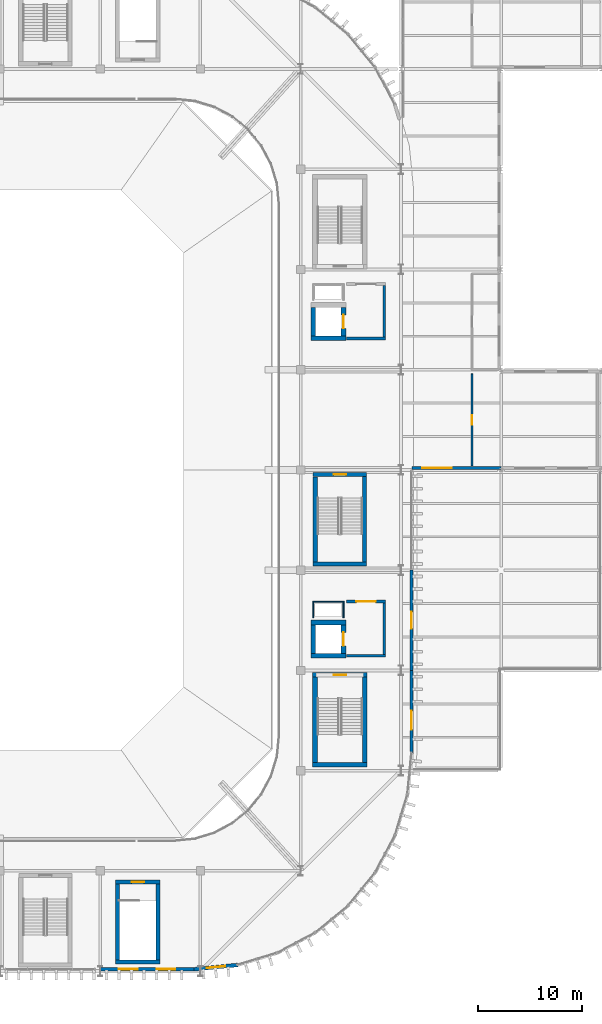
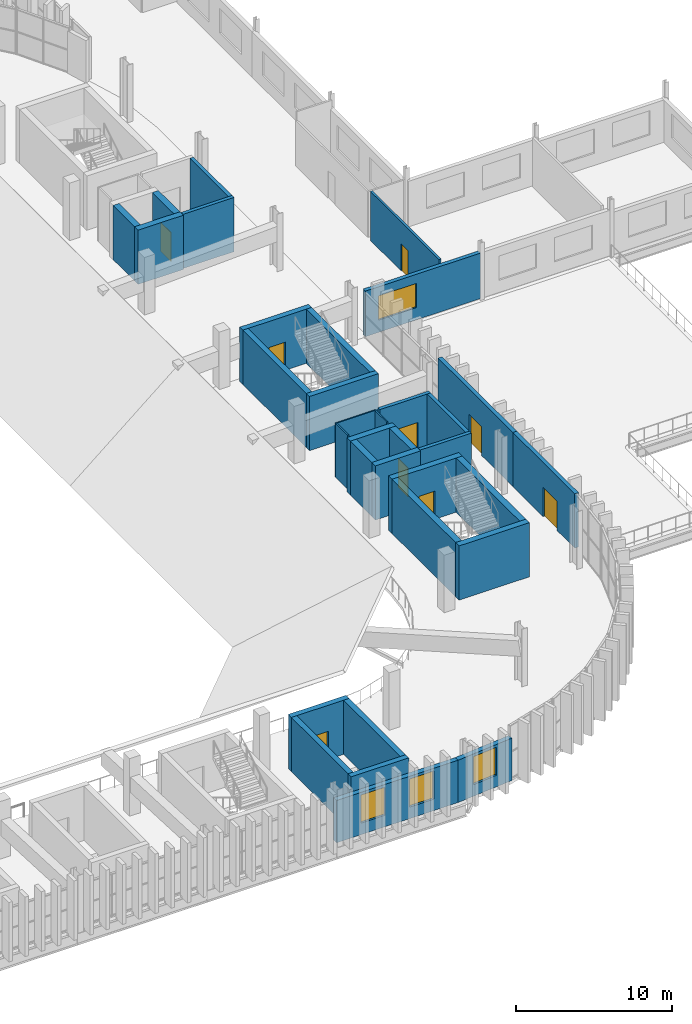
# One storey, part 42 of 69: 33 walls, 9 doors, 4 windows, 13 openings.
"""IFC4 building model written with IfcOpenShell, lengths in metres."""

import ifcopenshell
import ifcopenshell.guid

model = None  # the IFC model being written
_history = None  # IfcOwnerHistory: only IFC2X3 demands one
_inside = {}  # id of a spatial element -> (the spatial element, [elements in it])
_under = {}  # id of a project, library or spatial element -> (it, [spatial elements below it])
_declared = {}  # id of a project -> (the project, [libraries it declares])
_typed = {}  # id of a type object -> (the type object, [elements of that type])
_made_of = {}  # id of a material, layer set ... -> (it, [elements and type objects made of it])


def new_model(schema):
    """Start an empty IFC model of exactly this schema.

    Asked for "IFC4X3", IfcOpenShell would pick the latest addendum, in which some entities
    have other attributes; the version numbers below select the first issue.
    IFC2X3 requires an IfcOwnerHistory on every rooted entity: one is made here for all.
    """
    global model, _history
    if schema == "IFC4X3":
        model = ifcopenshell.file(schema_version=(4, 3, 0, 0))
    else:
        model = ifcopenshell.file(schema=schema)
    _inside.clear()
    _under.clear()
    _declared.clear()
    _typed.clear()
    _made_of.clear()
    _history = None
    if model.schema == "IFC2X3":
        org = make("IfcOrganization", Name="unknown")
        user = make(
            "IfcPersonAndOrganization",
            ThePerson=make("IfcPerson", FamilyName="unknown"),
            TheOrganization=org,
        )
        app = make(
            "IfcApplication",
            ApplicationDeveloper=org,
            Version="unknown",
            ApplicationFullName="unknown",
            ApplicationIdentifier="unknown",
        )
        _history = make(
            "IfcOwnerHistory",
            OwningUser=user,
            OwningApplication=app,
            ChangeAction="ADDED",
            CreationDate=0,
        )
    return model


def make(cls, **values):
    """One entity of the class cls with the attributes given. An attribute that is None is left unset."""
    return model.create_entity(
        cls, **{name: value for name, value in values.items() if value is not None}
    )


def rooted(cls, **values):
    """An entity with a GlobalId (a new one), such as an element, a storey or a relation."""
    return make(cls, GlobalId=ifcopenshell.guid.new(), OwnerHistory=_history, **values)


def si_unit(unit_type, name, prefix=None):
    """IfcSIUnit, for example si_unit("LENGTHUNIT", "METRE", prefix="MILLI")."""
    return make("IfcSIUnit", UnitType=unit_type, Prefix=prefix, Name=name)


def assignment(units):
    """IfcUnitAssignment: the units of a project."""
    return None if units is None else make("IfcUnitAssignment", Units=units)


def point(xyz):
    """IfcCartesianPoint."""
    return None if xyz is None else make("IfcCartesianPoint", Coordinates=xyz)


def direction(xyz):
    """IfcDirection."""
    return None if xyz is None else make("IfcDirection", DirectionRatios=xyz)


def frame(location, z_axis=None, x_axis=None):
    """IfcAxis2Placement3D, a coordinate frame: its origin and axes. An axis left out is left unset."""
    return make(
        "IfcAxis2Placement3D",
        Location=point(location),
        Axis=direction(z_axis),
        RefDirection=direction(x_axis),
    )


def frame_2d(location, x_axis=None):
    """IfcAxis2Placement2D, a coordinate frame in the plane: its origin and x axis."""
    return make(
        "IfcAxis2Placement2D", Location=point(location), RefDirection=direction(x_axis)
    )


def origin():
    """The frame at (0, 0, 0) with its axes left unset."""
    return frame((0.0, 0.0, 0.0))


def place(relative_to, where):
    """IfcLocalPlacement: puts the frame where relative to a parent placement (None: the world)."""
    return make(
        "IfcLocalPlacement", PlacementRelTo=relative_to, RelativePlacement=where
    )


def context(
    kind, dimensions, precision=None, world=None, true_north=None, identifier=None
):
    """IfcGeometricRepresentationContext, for example the 3D "Model" context."""
    return make(
        "IfcGeometricRepresentationContext",
        ContextIdentifier=identifier,
        ContextType=kind,
        CoordinateSpaceDimension=dimensions,
        Precision=precision,
        WorldCoordinateSystem=world,
        TrueNorth=true_north,
    )


def subcontext(parent, identifier, kind, view, scale=None):
    """IfcGeometricRepresentationSubContext, for example "Body" below "Model"."""
    return make(
        "IfcGeometricRepresentationSubContext",
        ContextIdentifier=identifier,
        ContextType=kind,
        ParentContext=parent,
        TargetScale=scale,
        TargetView=view,
    )


def project(units=None, contexts=None):
    """IfcProject with its units and contexts."""
    return rooted(
        "IfcProject",
        Name="project",
        RepresentationContexts=contexts,
        UnitsInContext=assignment(units),
    )


def spatial(cls, under=None, at=None, **own):
    """A site, building, storey or space (cls), placed at a placement, below another one or the project."""
    s = rooted(cls, ObjectPlacement=at, **own)
    if under is not None:
        _under.setdefault(under.id(), (under, []))[1].append(s)
    return s


def profile(cls, at=None, kind="AREA", **sizes):
    """A parametric profile (cls). Its sizes go by their IFC names, for example OverallWidth=200.0."""
    return make(cls, ProfileType=kind, Position=at, **sizes)


def rectangle(**sizes):
    """IfcRectangleProfileDef."""
    return profile("IfcRectangleProfileDef", **sizes)


def extrude(swept, where, along, depth):
    """IfcExtrudedAreaSolid: the profile swept, set in the frame where, extruded along a direction by depth."""
    return make(
        "IfcExtrudedAreaSolid",
        SweptArea=swept,
        Position=where,
        ExtrudedDirection=direction(along),
        Depth=depth,
    )


def shape(context_of_items, identifier, shape_type, items):
    """IfcShapeRepresentation: the items that make up one representation, for example the "Body"."""
    return make(
        "IfcShapeRepresentation",
        ContextOfItems=context_of_items,
        RepresentationIdentifier=identifier,
        RepresentationType=shape_type,
        Items=items,
    )


def material(Name=None, Category=None):
    """IfcMaterial."""
    return make("IfcMaterial", Name=Name, Category=Category)


def layer(
    of_material, thickness, ventilated=None, Name=None, Category=None, Priority=None
):
    """IfcMaterialLayer: one layer of a wall or slab, of a material (None: an air gap)."""
    return make(
        "IfcMaterialLayer",
        Material=of_material,
        LayerThickness=thickness,
        IsVentilated=ventilated,
        Name=Name,
        Category=Category,
        Priority=Priority,
    )


def layer_set(layers, Name=None):
    """IfcMaterialLayerSet."""
    return make("IfcMaterialLayerSet", MaterialLayers=layers, LayerSetName=Name)


def made_of(thing, what):
    """Note that an element or type object is made of a material, layer set ...; save() writes the relation."""
    if what is not None:
        _made_of.setdefault(what.id(), (what, []))[1].append(thing)
    return thing


def type_object(cls, material=None, **own):
    """A type object (cls), such as IfcWallType, which elements share."""
    return made_of(rooted(cls, **own), material)


def element(
    cls,
    number,
    at=None,
    inside=None,
    cuts=None,
    type_object=None,
    material=None,
    context=None,
    identifier="Body",
    shape_type=None,
    held_by="IfcProductDefinitionShape",
    body=None,
    shapes=None,
    **own,
):
    """One element of the class cls, such as IfcWall. Its Tag is "e" and its number.

    at: its placement. inside: the storey or other place that contains it. cuts: it is an
    opening in that element (IfcRelVoidsElement). A single representation is given by context,
    identifier, shape_type and body (its items); several are given by shapes. held_by: the class
    of the entity that holds the representations. save() writes the other relations.
    """
    e = rooted(cls, Tag="e%d" % number, ObjectPlacement=at, **own)
    if body is not None:
        shapes = [shape(context, identifier, shape_type, body)]
    if shapes is not None:
        e.Representation = make(held_by, Representations=shapes)
    if inside is not None:
        _inside.setdefault(inside.id(), (inside, []))[1].append(e)
    if cuts is not None:
        rooted(
            "IfcRelVoidsElement", RelatingBuildingElement=cuts, RelatedOpeningElement=e
        )
    if type_object is not None:
        _typed.setdefault(type_object.id(), (type_object, []))[1].append(e)
    return made_of(e, material)


def fill(opening, filler):
    """IfcRelFillsElement: the door or window that sits in an opening."""
    return rooted(
        "IfcRelFillsElement",
        RelatingOpeningElement=opening,
        RelatedBuildingElement=filler,
    )


def aggregate(whole, parts):
    """IfcRelAggregates: a whole, such as a stair, and the parts it consists of."""
    return rooted("IfcRelAggregates", RelatingObject=whole, RelatedObjects=parts)


def save(model, path):
    """Write the relations noted so far, then the file.

    IfcRelAggregates (storeys below a building ...), IfcRelContainedInSpatialStructure (elements
    in a storey), IfcRelDefinesByType, IfcRelAssociatesMaterial and IfcRelDeclares: one each for
    every whole, place, type object, material and project.
    """
    for whole, parts in _under.values():
        aggregate(whole, parts)
    for where, things in _inside.values():
        rooted(
            "IfcRelContainedInSpatialStructure",
            RelatedElements=things,
            RelatingStructure=where,
        )
    for kind, things in _typed.values():
        rooted("IfcRelDefinesByType", RelatedObjects=things, RelatingType=kind)
    for what, things in _made_of.values():
        rooted("IfcRelAssociatesMaterial", RelatedObjects=things, RelatingMaterial=what)
    for by, libraries in _declared.values():
        rooted("IfcRelDeclares", RelatingContext=by, RelatedDefinitions=libraries)
    model.write(path)


model = new_model("IFC4")

# Units and contexts
model_context = context("Model", 3, precision=1e-05, world=origin(), true_north=direction((0.0, 1.0)))
body_context = subcontext(model_context, "Body", "Model", "MODEL_VIEW")
ifc_project = project(units=[si_unit("LENGTHUNIT", "METRE"), si_unit("AREAUNIT", "SQUARE_METRE"), si_unit("VOLUMEUNIT", "CUBIC_METRE"), si_unit("PLANEANGLEUNIT", "RADIAN"), si_unit("MASSUNIT", "GRAM", prefix="KILO")], contexts=[model_context])

# Site, building, storey
site_placement = place(None, origin())
site = spatial("IfcSite", under=ifc_project, at=site_placement, CompositionType="ELEMENT")
building_placement = place(site_placement, origin())
building = spatial("IfcBuilding", under=site, at=building_placement, Name="Caelomonte Colonnade Arena", CompositionType="ELEMENT")
storey_placement = place(building_placement, frame((0.0, 0.0, 18.60009765625)))
storey = spatial("IfcBuildingStorey", under=building, at=storey_placement, Name="L04", CompositionType="ELEMENT", Elevation=18.60009765625)

# Wall, opening, door
ifc_material_1 = material(Name="Precast concrete C40/50", Category="concrete")
ifc_layer_1 = layer(ifc_material_1, 0.2900390625)
ifc_layer_set_1 = layer_set([ifc_layer_1], Name="Precast concrete C40/50")
wall_type_1 = type_object("IfcWallType", Name="ENV-WL-EXT29", PredefinedType="SOLIDWALL", material=ifc_layer_set_1)
wall_1_placement = place(storey_placement, frame((164.219970703125, 40.080078125, 0.0), z_axis=(0.0, 0.0, 1.0), x_axis=(0.0, 1.0, 0.0)))
wall_1 = element("IfcWall", 1, at=wall_1_placement, inside=storey, type_object=wall_type_1, Name="L04 exterior wall EW-L04-0304", PredefinedType="SOLIDWALL", context=body_context, shape_type="SweptSolid", body=[
    extrude(rectangle(XDim=7.919921875, YDim=0.2900390625, at=frame_2d((3.9599609375, 0.0))), origin(), (0.0, 0.0, 1.0), 4.239990234375),
])
opening_1_placement = place(wall_1_placement, frame((4.0517578125, 0.0, 0.0), z_axis=(0.0, 0.0, 1.0), x_axis=(-1.0, 0.0, 0.0)))
opening_1 = element("IfcOpeningElement", 2, at=opening_1_placement, cuts=wall_1, Name="Opening DT-L04-09", PredefinedType="OPENING", context=body_context, shape_type="SweptSolid", body=[
    extrude(rectangle(XDim=1.800048828125, YDim=2.300048828125, at=frame_2d((0.89990234375, 1.14990234375))), frame((0.0, 0.155029296875, 0.0), z_axis=(0.0, -1.0, 0.0), x_axis=(1.0, 0.0, 0.0)), (0.0, 0.0, 1.0), 0.31005859375),
])
ifc_material_2 = material(Name="Bronze anodised aluminium glazed terrace door", Category="aluminium")
door_type_1 = type_object("IfcDoorType", Name="ENV-DR-TR1", OperationType="DOUBLE_DOOR_SINGLE_SWING", PredefinedType="DOOR", material=ifc_material_2)
door_1_placement = place(opening_1_placement, origin())
door_1 = element("IfcDoor", 3, at=door_1_placement, inside=storey, type_object=door_type_1, Name="L04 East Gallery Courtyard Terrace door DT-L04-09", OperationType="DOUBLE_DOOR_SINGLE_SWING", OverallHeight=2.300048828125, OverallWidth=1.800048828125, PredefinedType="DOOR", context=body_context, shape_type="SweptSolid", body=[
    extrude(rectangle(XDim=1.800048828125, YDim=2.300048828125, at=frame_2d((0.89990234375, 1.14990234375))), frame((0.0, 0.02490234375, 0.0), z_axis=(0.0, -1.0, 0.0), x_axis=(1.0, 0.0, 0.0)), (0.0, 0.0, 1.0), 0.050048828125),
])
fill(opening_1, door_1)

wall_2_placement = place(storey_placement, frame((164.219970703125, 48.0, 0.0), z_axis=(0.0, 0.0, 1.0), x_axis=(0.0, 1.0, 0.0)))
wall_2 = element("IfcWall", 4, at=wall_2_placement, inside=storey, type_object=wall_type_1, Name="L04 exterior wall EW-L04-0305", PredefinedType="SOLIDWALL", context=body_context, shape_type="SweptSolid", body=[
    extrude(rectangle(XDim=9.60009765625, YDim=0.2900390625, at=frame_2d((4.800048828125, 0.0))), origin(), (0.0, 0.0, 1.0), 4.239990234375),
])
opening_2_placement = place(wall_2_placement, frame((5.60009765625, 0.0, 0.0), z_axis=(0.0, 0.0, 1.0), x_axis=(-1.0, 0.0, 0.0)))
opening_2 = element("IfcOpeningElement", 5, at=opening_2_placement, cuts=wall_2, Name="Opening DT-L04-10", PredefinedType="OPENING", context=body_context, shape_type="SweptSolid", body=[
    extrude(rectangle(XDim=1.60009765625, YDim=2.25, at=frame_2d((0.800048828125, 1.125))), frame((0.0, 0.155029296875, 0.0), z_axis=(0.0, -1.0, 0.0), x_axis=(1.0, 0.0, 0.0)), (0.0, 0.0, 1.0), 0.31005859375),
])
door_type_2 = type_object("IfcDoorType", Name="ENV-DR-TR2", OperationType="DOUBLE_DOOR_SINGLE_SWING", PredefinedType="DOOR", material=ifc_material_2)
door_2_placement = place(opening_2_placement, origin())
door_2 = element("IfcDoor", 6, at=door_2_placement, inside=storey, type_object=door_type_2, Name="L04 East Gallery Courtyard Terrace door DT-L04-10", OperationType="DOUBLE_DOOR_SINGLE_SWING", OverallHeight=2.25, OverallWidth=1.60009765625, PredefinedType="DOOR", context=body_context, shape_type="SweptSolid", body=[
    extrude(rectangle(XDim=1.60009765625, YDim=2.25, at=frame_2d((0.800048828125, 1.125))), frame((0.0, 0.02490234375, 0.0), z_axis=(0.0, -1.0, 0.0), x_axis=(1.0, 0.0, 0.0)), (0.0, 0.0, 1.0), 0.050048828125),
])
fill(opening_2, door_2)

# Wall, opening, window
wall_3_placement = place(storey_placement, frame((164.280029296875, 67.3798828125, 0.0), z_axis=(0.0, 0.0, 1.0), x_axis=(1.0, 0.0, 0.0)))
wall_3 = element("IfcWall", 7, at=wall_3_placement, inside=storey, type_object=wall_type_1, Name="L04 exterior wall EW-L04-0306", PredefinedType="SOLIDWALL", context=body_context, shape_type="SweptSolid", body=[
    extrude(rectangle(XDim=8.52001953125, YDim=0.2900390625, at=frame_2d((4.260009765625, 0.0))), origin(), (0.0, 0.0, 1.0), 3.561767578125),
])
opening_3_placement = place(wall_3_placement, frame((3.7734375, 0.0, 0.949951171875), z_axis=(0.0, 0.0, 1.0), x_axis=(-1.0, 0.0, 0.0)))
opening_3 = element("IfcOpeningElement", 8, at=opening_3_placement, cuts=wall_3, Name="Opening WN-07", PredefinedType="OPENING", context=body_context, shape_type="SweptSolid", body=[
    extrude(rectangle(XDim=2.800048828125, YDim=1.89990234375, at=frame_2d((1.39990234375, 0.949951171875))), frame((0.0, 0.155029296875, 0.0), z_axis=(0.0, -1.0, 0.0), x_axis=(1.0, 0.0, 0.0)), (0.0, 0.0, 1.0), 0.31005859375),
])
ifc_material_3 = material(Name="Solar-control bronze low-E double glazing", Category="glass")
window_type_1 = type_object("IfcWindowType", Name="ENV-WN-V4D", PartitioningType="DOUBLE_PANEL_VERTICAL", PredefinedType="WINDOW", material=ifc_material_3)
window_1_placement = place(opening_3_placement, origin())
window_1 = element("IfcWindow", 9, at=window_1_placement, inside=storey, type_object=window_type_1, Name="L04 facade window 247", OverallHeight=1.89990234375, OverallWidth=2.800048828125, PartitioningType="SINGLE_PANEL", PredefinedType="WINDOW", context=body_context, shape_type="SweptSolid", body=[
    extrude(rectangle(XDim=2.800048828125, YDim=1.89990234375, at=frame_2d((1.39990234375, 0.949951171875))), frame((0.0, 0.030029296875, 0.0), z_axis=(0.0, -1.0, 0.0), x_axis=(1.0, 0.0, 0.0)), (0.0, 0.0, 1.0), 0.06005859375),
])
fill(opening_3, window_1)

# Wall, openings, windows
ifc_layer_2 = layer(ifc_material_1, 0.360107421875)
ifc_layer_set_2 = layer_set([ifc_layer_2], Name="Precast concrete C40/50")
wall_type_2 = type_object("IfcWallType", Name="ENV-WL-EXT36", PredefinedType="SOLIDWALL", material=ifc_layer_set_2)
wall_4_placement = place(storey_placement, frame((134.39990234375, 19.3798828125, 0.0), z_axis=(0.0, 0.0, 1.0), x_axis=(1.0, 0.0, 0.0)))
wall_4 = element("IfcWall", 10, at=wall_4_placement, inside=storey, type_object=wall_type_2, Name="L04 exterior wall EW-L04-0302", PredefinedType="SOLIDWALL", context=body_context, shape_type="SweptSolid", body=[
    extrude(rectangle(XDim=9.0, YDim=0.360107421875, at=frame_2d((4.5, 0.0))), origin(), (0.0, 0.0, 1.0), 3.312744140625),
])
opening_4_placement = place(wall_4_placement, frame((3.60009765625, 0.0, 0.89990234375), z_axis=(0.0, 0.0, 1.0), x_axis=(-1.0, 0.0, 0.0)))
opening_4 = element("IfcOpeningElement", 11, at=opening_4_placement, cuts=wall_4, Name="Opening WN-03", PredefinedType="OPENING", context=body_context, shape_type="SweptSolid", body=[
    extrude(rectangle(XDim=1.800048828125, YDim=2.199951171875, at=frame_2d((0.89990234375, 1.10009765625))), frame((0.0, 0.18994140625, 0.0), z_axis=(0.0, -1.0, 0.0), x_axis=(1.0, 0.0, 0.0)), (0.0, 0.0, 1.0), 0.380126953125),
])
opening_5_placement = place(wall_4_placement, frame((7.199951171875, 0.0, 0.89990234375), z_axis=(0.0, 0.0, 1.0), x_axis=(-1.0, 0.0, 0.0)))
opening_5 = element("IfcOpeningElement", 12, at=opening_5_placement, cuts=wall_4, Name="Opening WN-03", PredefinedType="OPENING", context=body_context, shape_type="SweptSolid", body=[
    extrude(rectangle(XDim=1.800048828125, YDim=2.199951171875, at=frame_2d((0.89990234375, 1.10009765625))), frame((0.0, 0.18994140625, 0.0), z_axis=(0.0, -1.0, 0.0), x_axis=(1.0, 0.0, 0.0)), (0.0, 0.0, 1.0), 0.380126953125),
])
window_type_2 = type_object("IfcWindowType", Name="ENV-WN-V3C", PartitioningType="DOUBLE_PANEL_VERTICAL", PredefinedType="WINDOW", material=ifc_material_3)
window_2_placement = place(opening_4_placement, origin())
window_2 = element("IfcWindow", 13, at=window_2_placement, inside=storey, type_object=window_type_2, Name="L04 facade window 244", OverallHeight=2.199951171875, OverallWidth=1.800048828125, PartitioningType="SINGLE_PANEL", PredefinedType="WINDOW", context=body_context, shape_type="SweptSolid", body=[
    extrude(rectangle(XDim=1.800048828125, YDim=2.199951171875, at=frame_2d((0.89990234375, 1.10009765625))), frame((0.0, 0.030029296875, 0.0), z_axis=(0.0, -1.0, 0.0), x_axis=(1.0, 0.0, 0.0)), (0.0, 0.0, 1.0), 0.06005859375),
])
fill(opening_4, window_2)
window_3_placement = place(opening_5_placement, origin())
window_3 = element("IfcWindow", 14, at=window_3_placement, inside=storey, type_object=window_type_2, Name="L04 facade window 245", OverallHeight=2.199951171875, OverallWidth=1.800048828125, PartitioningType="SINGLE_PANEL", PredefinedType="WINDOW", context=body_context, shape_type="SweptSolid", body=[
    extrude(rectangle(XDim=1.800048828125, YDim=2.199951171875, at=frame_2d((0.89990234375, 1.10009765625))), frame((0.0, 0.030029296875, 0.0), z_axis=(0.0, -1.0, 0.0), x_axis=(1.0, 0.0, 0.0)), (0.0, 0.0, 1.0), 0.06005859375),
])
fill(opening_5, window_3)

# Wall, opening, window
wall_5_placement = place(storey_placement, frame((143.38232421875, 19.379150390625, 0.0), z_axis=(0.0, 0.0, 1.0), x_axis=(0.995184426144, 0.098020191596, 0.0)))
wall_5 = element("IfcWall", 15, at=wall_5_placement, inside=storey, type_object=wall_type_2, Name="L04 exterior wall EW-L04-0303", PredefinedType="SOLIDWALL", context=body_context, shape_type="SweptSolid", body=[
    extrude(rectangle(XDim=4.23681640625, YDim=0.360107421875, at=frame_2d((2.118408203125, 0.0))), origin(), (0.0, 0.0, 1.0), 3.312744140625),
])
opening_6_placement = place(wall_5_placement, frame((3.0185546875, 0.0, 0.89990234375), z_axis=(0.0, 0.0, 1.0), x_axis=(-1.0, 0.0, 0.0)))
opening_6 = element("IfcOpeningElement", 16, at=opening_6_placement, cuts=wall_5, Name="Opening WN-03", PredefinedType="OPENING", context=body_context, shape_type="SweptSolid", body=[
    extrude(rectangle(XDim=1.800048828125, YDim=2.199951171875, at=frame_2d((0.89990234375, 1.10009765625))), frame((0.0, 0.18994140625, 0.0), z_axis=(0.0, -1.0, 0.0), x_axis=(1.0, 0.0, 0.0)), (0.0, 0.0, 1.0), 0.380126953125),
])
window_4_placement = place(opening_6_placement, origin())
window_4 = element("IfcWindow", 17, at=window_4_placement, inside=storey, type_object=window_type_2, Name="L04 facade window 246", OverallHeight=2.199951171875, OverallWidth=1.800048828125, PartitioningType="SINGLE_PANEL", PredefinedType="WINDOW", context=body_context, shape_type="SweptSolid", body=[
    extrude(rectangle(XDim=1.800048828125, YDim=2.199951171875, at=frame_2d((0.89990234375, 1.10009765625))), frame((0.0, 0.030029296875, 0.0), z_axis=(0.0, -1.0, 0.0), x_axis=(1.0, 0.0, 0.0)), (0.0, 0.0, 1.0), 0.06005859375),
])
fill(opening_6, window_4)

# Wall
ifc_material_4 = material(Name="Concrete C40/50", Category="concrete")
ifc_layer_3 = layer(ifc_material_4, 0.260009765625)
ifc_layer_set_3 = layer_set([ifc_layer_3], Name="Concrete C40/50")
wall_type_3 = type_object("IfcWallType", Name="INT-WL-FW26", PredefinedType="SOLIDWALL", material=ifc_layer_set_3)
wall_6_placement = place(storey_placement, frame((157.969970703125, 49.39990234375, 0.0), z_axis=(0.0, 0.0, 1.0), x_axis=(1.0, 0.0, 0.0)))
element("IfcWall", 18, at=wall_6_placement, inside=storey, type_object=wall_type_3, Name="FW-C2-LB L04 south enclosure wall", PredefinedType="SOLIDWALL", context=body_context, shape_type="SweptSolid", body=[
    extrude(rectangle(XDim=3.760009765625, YDim=0.260009765625, at=frame_2d((1.8798828125, 0.0))), origin(), (0.0, 0.0, 1.0), 4.239990234375),
])

# Wall, opening, door
wall_7_placement = place(storey_placement, frame((161.72998046875, 54.60009765625, 0.0), z_axis=(0.0, 0.0, 1.0), x_axis=(-1.0, 0.0, 0.0)))
wall_7 = element("IfcWall", 19, at=wall_7_placement, inside=storey, type_object=wall_type_3, Name="FW-C2-LB L04 north enclosure wall", PredefinedType="SOLIDWALL", context=body_context, shape_type="SweptSolid", body=[
    extrude(rectangle(XDim=3.760009765625, YDim=0.260009765625, at=frame_2d((1.8798828125, 0.0))), origin(), (0.0, 0.0, 1.0), 4.239990234375),
])
opening_7_placement = place(wall_7_placement, frame((2.80517578125, 0.0, 0.0), z_axis=(0.0, 0.0, 1.0), x_axis=(-1.0, 0.0, 0.0)))
opening_7 = element("IfcOpeningElement", 20, at=opening_7_placement, cuts=wall_7, Name="Opening FD-2", PredefinedType="OPENING", context=body_context, shape_type="SweptSolid", body=[
    extrude(rectangle(XDim=1.85009765625, YDim=2.25, at=frame_2d((0.925048828125, 1.125))), frame((0.0, 0.139892578125, 0.0), z_axis=(0.0, -1.0, 0.0), x_axis=(1.0, 0.0, 0.0)), (0.0, 0.0, 1.0), 0.280029296875),
])
ifc_material_5 = material(Name="Fire-rated double steel door", Category="steel")
door_type_3 = type_object("IfcDoorType", Name="INT-DR-FD90B", OperationType="DOUBLE_DOOR_SINGLE_SWING", PredefinedType="DOOR", material=ifc_material_5)
door_3_placement = place(opening_7_placement, origin())
door_3 = element("IfcDoor", 21, at=door_3_placement, inside=storey, type_object=door_type_3, Name="Core C2 L04 lobby fire door", OperationType="DOUBLE_DOOR_SINGLE_SWING", OverallHeight=2.25, OverallWidth=1.85009765625, PredefinedType="DOOR", context=body_context, shape_type="SweptSolid", body=[
    extrude(rectangle(XDim=1.85009765625, YDim=2.25, at=frame_2d((0.925048828125, 1.125))), frame((0.0, 0.02490234375, 0.0), z_axis=(0.0, -1.0, 0.0), x_axis=(1.0, 0.0, 0.0)), (0.0, 0.0, 1.0), 0.050048828125),
])
fill(opening_7, door_3)

# Walls
wall_8_placement = place(storey_placement, frame((161.60009765625, 49.530029296875, 0.0), z_axis=(0.0, 0.0, 1.0), x_axis=(0.0, 1.0, 0.0)))
element("IfcWall", 22, at=wall_8_placement, inside=storey, type_object=wall_type_3, Name="FW-C2-LB L04 east enclosure wall", PredefinedType="SOLIDWALL", context=body_context, shape_type="SweptSolid", body=[
    extrude(rectangle(XDim=4.93994140625, YDim=0.260009765625, at=frame_2d((2.469970703125, 0.0))), origin(), (0.0, 0.0, 1.0), 4.239990234375),
])
wall_9_placement = place(storey_placement, frame((157.969970703125, 79.800048828125, 0.0), z_axis=(0.0, 0.0, 1.0), x_axis=(1.0, 0.0, 0.0)))
element("IfcWall", 23, at=wall_9_placement, inside=storey, type_object=wall_type_3, Name="FW-C3-LB L04 south enclosure wall", PredefinedType="SOLIDWALL", context=body_context, shape_type="SweptSolid", body=[
    extrude(rectangle(XDim=3.760009765625, YDim=0.260009765625, at=frame_2d((1.8798828125, 0.0))), origin(), (0.0, 0.0, 1.0), 4.239990234375),
])
wall_10_placement = place(storey_placement, frame((161.60009765625, 79.929931640625, 0.0), z_axis=(0.0, 0.0, 1.0), x_axis=(0.0, 1.0, 0.0)))
element("IfcWall", 24, at=wall_10_placement, inside=storey, type_object=wall_type_3, Name="FW-C3-LB L04 east enclosure wall", PredefinedType="SOLIDWALL", context=body_context, shape_type="SweptSolid", body=[
    extrude(rectangle(XDim=4.940185546875, YDim=0.260009765625, at=frame_2d((2.47021484375, 0.0))), origin(), (0.0, 0.0, 1.0), 4.239990234375),
])
ifc_material_6 = material(Name="Service shaft lining partition")
ifc_layer_4 = layer(ifc_material_6, 0.10009765625)
ifc_layer_set_4 = layer_set([ifc_layer_4], Name="Service shaft lining partition")
wall_type_4 = type_object("IfcWallType", Name="INT-WL-PT10", PredefinedType="PARTITIONING", material=ifc_layer_set_4)
wall_11_placement = place(storey_placement, frame((157.75, 54.60009765625, 0.0), z_axis=(0.0, 0.0, 1.0), x_axis=(-1.0, 0.0, 0.0)))
element("IfcWall", 25, at=wall_11_placement, inside=storey, type_object=wall_type_4, Name="FW-C2-RS L04 north enclosure wall", PredefinedType="PARTITIONING", context=body_context, shape_type="SweptSolid", body=[
    extrude(rectangle(XDim=3.0, YDim=0.10009765625, at=frame_2d((1.5, 0.0))), origin(), (0.0, 0.0, 1.0), 4.239990234375),
])
for number, where, z_axis, x_axis, name in (
    (26, (154.800048828125, 54.550048828125, 0.0), (0.0, 0.0, 1.0), (0.0, -1.0, 0.0), "FW-C2-RS L04 west enclosure wall"),
    (27, (157.699951171875, 53.050048828125, 0.0), (0.0, 0.0, 1.0), (0.0, 1.0, 0.0), "FW-C2-RS L04 east enclosure wall"),
):
    element("IfcWall", number, at=place(storey_placement, frame(where, z_axis=z_axis, x_axis=x_axis)), inside=storey, type_object=wall_type_4, Name=name, PredefinedType="PARTITIONING", context=body_context, shape_type="SweptSolid", body=[
        extrude(rectangle(XDim=1.5, YDim=0.10009765625, at=frame_2d((0.75, 0.0))), origin(), (0.0, 0.0, 1.0), 4.239990234375),
    ])

# Wall, opening, door
ifc_material_7 = material(Name="Moisture-resistant WC partition")
ifc_layer_5 = layer(ifc_material_7, 0.159912109375)
ifc_layer_set_5 = layer_set([ifc_layer_5], Name="Moisture-resistant WC partition")
wall_type_5 = type_object("IfcWallType", Name="INT-WL-PT16", PredefinedType="PARTITIONING", material=ifc_layer_set_5)
wall_12_placement = place(storey_placement, frame((170.0, 67.60009765625, 0.0), z_axis=(0.0, 0.0, 1.0), x_axis=(0.0, 1.0, 0.0)))
wall_12 = element("IfcWall", 28, at=wall_12_placement, inside=storey, type_object=wall_type_5, Name="L04 Upper Concourse Restroom partition 246", PredefinedType="PARTITIONING", context=body_context, shape_type="SweptSolid", body=[
    extrude(rectangle(XDim=8.7998046875, YDim=0.159912109375, at=frame_2d((4.39990234375, 0.0))), origin(), (0.0, 0.0, 1.0), 3.8359375),
])
opening_8_placement = place(wall_12_placement, frame((3.93994140625, 0.0, 0.0), z_axis=(0.0, 0.0, 1.0), x_axis=(1.0, 0.0, 0.0)))
opening_8 = element("IfcOpeningElement", 29, at=opening_8_placement, cuts=wall_12, Name="Opening D-L04-067", PredefinedType="OPENING", context=body_context, shape_type="SweptSolid", body=[
    extrude(rectangle(XDim=0.919921875, YDim=2.1201171875, at=frame_2d((0.4599609375, 1.06005859375))), frame((0.0, 0.08984375, 0.0), z_axis=(0.0, -1.0, 0.0), x_axis=(1.0, 0.0, 0.0)), (0.0, 0.0, 1.0), 0.179931640625),
])
ifc_material_8 = material(Name="Laminate restroom entrance door")
door_type_4 = type_object("IfcDoorType", Name="INT-DR-WC1", OperationType="NOTDEFINED", PredefinedType="DOOR", material=ifc_material_8)
door_4_placement = place(opening_8_placement, origin())
door_4 = element("IfcDoor", 30, at=door_4_placement, inside=storey, type_object=door_type_4, Name="L04 Upper Concourse Restroom door D-L04-067", OperationType="SINGLE_SWING_LEFT", OverallHeight=2.1201171875, OverallWidth=0.919921875, PredefinedType="DOOR", context=body_context, shape_type="SweptSolid", body=[
    extrude(rectangle(XDim=0.919921875, YDim=2.1201171875, at=frame_2d((0.4599609375, 1.06005859375))), frame((0.0, 0.02490234375, 0.0), z_axis=(0.0, -1.0, 0.0), x_axis=(1.0, 0.0, 0.0)), (0.0, 0.0, 1.0), 0.050048828125),
])
fill(opening_8, door_4)

# Wall
ifc_material_9 = material(Name="Concrete C50/60", Category="concrete")
ifc_layer_6 = layer(ifc_material_9, 0.39990234375)
ifc_layer_set_6 = layer_set([ifc_layer_6], Name="Concrete C50/60")
wall_type_6 = type_object("IfcWallType", Name="INT-WL-SH40", PredefinedType="SHEAR", material=ifc_layer_set_6)
wall_13_placement = place(storey_placement, frame((154.800048828125, 58.199951171875, 0.0), z_axis=(0.0, 0.0, 1.0), x_axis=(1.0, 0.0, 0.0)))
element("IfcWall", 31, at=wall_13_placement, inside=storey, type_object=wall_type_6, Name="CW-ST-10 L04 south enclosure wall", PredefinedType="SHEAR", context=body_context, shape_type="SweptSolid", body=[
    extrude(rectangle(XDim=5.099853515625, YDim=0.39990234375, at=frame_2d((2.5498046875, 0.0))), origin(), (0.0, 0.0, 1.0), 4.239990234375),
])

# Wall, opening, door
wall_14_placement = place(storey_placement, frame((159.89990234375, 66.75, 0.0), z_axis=(0.0, 0.0, 1.0), x_axis=(-1.0, 0.0, 0.0)))
wall_14 = element("IfcWall", 32, at=wall_14_placement, inside=storey, type_object=wall_type_6, Name="CW-ST-10 L04 north enclosure wall", PredefinedType="SHEAR", context=body_context, shape_type="SweptSolid", body=[
    extrude(rectangle(XDim=5.099853515625, YDim=0.39990234375, at=frame_2d((2.5498046875, 0.0))), origin(), (0.0, 0.0, 1.0), 4.239990234375),
])
opening_9_placement = place(wall_14_placement, frame((3.14990234375, 0.0, 0.0), z_axis=(0.0, 0.0, 1.0), x_axis=(-1.0, 0.0, 0.0)))
opening_9 = element("IfcOpeningElement", 33, at=opening_9_placement, cuts=wall_14, Name="Opening FD-1", PredefinedType="OPENING", context=body_context, shape_type="SweptSolid", body=[
    extrude(rectangle(XDim=1.199951171875, YDim=2.199951171875, at=frame_2d((0.60009765625, 1.10009765625))), frame((0.0, 0.2099609375, 0.0), z_axis=(0.0, -1.0, 0.0), x_axis=(1.0, 0.0, 0.0)), (0.0, 0.0, 1.0), 0.419921875),
])
ifc_material_10 = material(Name="Fire-rated steel door", Category="steel")
door_type_5 = type_object("IfcDoorType", Name="INT-DR-FD90A", OperationType="NOTDEFINED", PredefinedType="DOOR", material=ifc_material_10)
door_5_placement = place(opening_9_placement, origin())
door_5 = element("IfcDoor", 34, at=door_5_placement, inside=storey, type_object=door_type_5, Name="Protected exit stair ST-10 L04 fire door", OperationType="SINGLE_SWING_RIGHT", OverallHeight=2.199951171875, OverallWidth=1.199951171875, PredefinedType="DOOR", context=body_context, shape_type="SweptSolid", body=[
    extrude(rectangle(XDim=1.199951171875, YDim=2.199951171875, at=frame_2d((0.60009765625, 1.10009765625))), frame((0.0, 0.02490234375, 0.0), z_axis=(0.0, -1.0, 0.0), x_axis=(1.0, 0.0, 0.0)), (0.0, 0.0, 1.0), 0.050048828125),
])
fill(opening_9, door_5)

# Walls
for number, where, z_axis, x_axis, name in (
    (35, (155.0, 66.550048828125, 0.0), (0.0, 0.0, 1.0), (0.0, -1.0, 0.0), "CW-ST-10 L04 west enclosure wall"),
    (36, (159.699951171875, 58.39990234375, 0.0), (0.0, 0.0, 1.0), (0.0, 1.0, 0.0), "CW-ST-10 L04 east enclosure wall"),
):
    element("IfcWall", number, at=place(storey_placement, frame(where, z_axis=z_axis, x_axis=x_axis)), inside=storey, type_object=wall_type_6, Name=name, PredefinedType="SHEAR", context=body_context, shape_type="SweptSolid", body=[
        extrude(rectangle(XDim=8.150146484375, YDim=0.39990234375, at=frame_2d((4.0751953125, 0.0))), origin(), (0.0, 0.0, 1.0), 4.239990234375),
    ])
wall_15_placement = place(storey_placement, frame((135.8701171875, 20.070068359375, 0.0), z_axis=(0.0, 0.0, 1.0), x_axis=(1.0, 0.0, 0.0)))
element("IfcWall", 37, at=wall_15_placement, inside=storey, type_object=wall_type_6, Name="CW-ST-V12 L04 south enclosure wall", PredefinedType="SHEAR", context=body_context, shape_type="SweptSolid", body=[
    extrude(rectangle(XDim=4.259765625, YDim=0.39990234375, at=frame_2d((2.1298828125, 0.0))), origin(), (0.0, 0.0, 1.0), 4.239990234375),
])

# Wall, opening, door
wall_16_placement = place(storey_placement, frame((140.1298828125, 27.72998046875, 0.0), z_axis=(0.0, 0.0, 1.0), x_axis=(-1.0, 0.0, 0.0)))
wall_16 = element("IfcWall", 38, at=wall_16_placement, inside=storey, type_object=wall_type_6, Name="CW-ST-V12 L04 north enclosure wall", PredefinedType="SHEAR", context=body_context, shape_type="SweptSolid", body=[
    extrude(rectangle(XDim=4.259765625, YDim=0.39990234375, at=frame_2d((2.1298828125, 0.0))), origin(), (0.0, 0.0, 1.0), 4.239990234375),
])
opening_10_placement = place(wall_16_placement, frame((2.72998046875, 0.0, 0.0), z_axis=(0.0, 0.0, 1.0), x_axis=(-1.0, 0.0, 0.0)))
opening_10 = element("IfcOpeningElement", 39, at=opening_10_placement, cuts=wall_16, Name="Opening FD-1", PredefinedType="OPENING", context=body_context, shape_type="SweptSolid", body=[
    extrude(rectangle(XDim=1.199951171875, YDim=2.199951171875, at=frame_2d((0.60009765625, 1.10009765625))), frame((0.0, 0.2099609375, 0.0), z_axis=(0.0, -1.0, 0.0), x_axis=(1.0, 0.0, 0.0)), (0.0, 0.0, 1.0), 0.419921875),
])
door_6_placement = place(opening_10_placement, origin())
door_6 = element("IfcDoor", 40, at=door_6_placement, inside=storey, type_object=door_type_5, Name="Vomitory VOM-12 stair ST-V12 L04 portal door", OperationType="SINGLE_SWING_LEFT", OverallHeight=2.199951171875, OverallWidth=1.199951171875, PredefinedType="DOOR", context=body_context, shape_type="SweptSolid", body=[
    extrude(rectangle(XDim=1.199951171875, YDim=2.199951171875, at=frame_2d((0.60009765625, 1.10009765625))), frame((0.0, 0.02490234375, 0.0), z_axis=(0.0, -1.0, 0.0), x_axis=(1.0, 0.0, 0.0)), (0.0, 0.0, 1.0), 0.050048828125),
])
fill(opening_10, door_6)

# Walls
for number, where, z_axis, x_axis, name in (
    (41, (136.070068359375, 27.530029296875, 0.0), (0.0, 0.0, 1.0), (0.0, -1.0, 0.0), "CW-ST-V12 L04 west enclosure wall"),
    (42, (139.929931640625, 20.27001953125, 0.0), (0.0, 0.0, 1.0), (0.0, 1.0, 0.0), "CW-ST-V12 L04 east enclosure wall"),
):
    element("IfcWall", number, at=place(storey_placement, frame(where, z_axis=z_axis, x_axis=x_axis)), inside=storey, type_object=wall_type_6, Name=name, PredefinedType="SHEAR", context=body_context, shape_type="SweptSolid", body=[
        extrude(rectangle(XDim=7.260009765625, YDim=0.39990234375, at=frame_2d((3.6298828125, 0.0))), origin(), (0.0, 0.0, 1.0), 4.239990234375),
    ])
ifc_layer_7 = layer(ifc_material_9, 0.449951171875)
ifc_layer_set_7 = layer_set([ifc_layer_7], Name="Concrete C50/60")
wall_type_7 = type_object("IfcWallType", Name="INT-WL-SH45", PredefinedType="SHEAR", material=ifc_layer_set_7)
wall_17_placement = place(storey_placement, frame((154.75, 38.97509765625, 0.0), z_axis=(0.0, 0.0, 1.0), x_axis=(1.0, 0.0, 0.0)))
element("IfcWall", 43, at=wall_17_placement, inside=storey, type_object=wall_type_7, Name="CW-C2-ST L04 south enclosure wall", PredefinedType="SHEAR", context=body_context, shape_type="SweptSolid", body=[
    extrude(rectangle(XDim=5.199951171875, YDim=0.449951171875, at=frame_2d((2.60009765625, 0.0))), origin(), (0.0, 0.0, 1.0), 4.239990234375),
])

# Wall, opening, door
wall_18_placement = place(storey_placement, frame((159.949951171875, 47.574951171875, 0.0), z_axis=(0.0, 0.0, 1.0), x_axis=(-1.0, 0.0, 0.0)))
wall_18 = element("IfcWall", 44, at=wall_18_placement, inside=storey, type_object=wall_type_7, Name="CW-C2-ST L04 north enclosure wall", PredefinedType="SHEAR", context=body_context, shape_type="SweptSolid", body=[
    extrude(rectangle(XDim=5.199951171875, YDim=0.449951171875, at=frame_2d((2.60009765625, 0.0))), origin(), (0.0, 0.0, 1.0), 4.239990234375),
])
opening_11_placement = place(wall_18_placement, frame((3.199951171875, 0.0, 0.0), z_axis=(0.0, 0.0, 1.0), x_axis=(-1.0, 0.0, 0.0)))
opening_11 = element("IfcOpeningElement", 45, at=opening_11_placement, cuts=wall_18, Name="Opening FD-1", PredefinedType="OPENING", context=body_context, shape_type="SweptSolid", body=[
    extrude(rectangle(XDim=1.199951171875, YDim=2.199951171875, at=frame_2d((0.60009765625, 1.10009765625))), frame((0.0, 0.23486328125, 0.0), z_axis=(0.0, -1.0, 0.0), x_axis=(1.0, 0.0, 0.0)), (0.0, 0.0, 1.0), 0.469970703125),
])
door_7_placement = place(opening_11_placement, origin())
door_7 = element("IfcDoor", 46, at=door_7_placement, inside=storey, type_object=door_type_5, Name="Core C2 L04 exit stair fire door", OperationType="SINGLE_SWING_LEFT", OverallHeight=2.199951171875, OverallWidth=1.199951171875, PredefinedType="DOOR", context=body_context, shape_type="SweptSolid", body=[
    extrude(rectangle(XDim=1.199951171875, YDim=2.199951171875, at=frame_2d((0.60009765625, 1.10009765625))), frame((0.0, 0.02490234375, 0.0), z_axis=(0.0, -1.0, 0.0), x_axis=(1.0, 0.0, 0.0)), (0.0, 0.0, 1.0), 0.050048828125),
])
fill(opening_11, door_7)

# Walls
for number, where, z_axis, x_axis, name in (
    (47, (154.97509765625, 47.35009765625, 0.0), (0.0, 0.0, 1.0), (0.0, -1.0, 0.0), "CW-C2-ST L04 west enclosure wall"),
    (48, (159.72509765625, 39.199951171875, 0.0), (0.0, 0.0, 1.0), (0.0, 1.0, 0.0), "CW-C2-ST L04 east enclosure wall"),
):
    element("IfcWall", number, at=place(storey_placement, frame(where, z_axis=z_axis, x_axis=x_axis)), inside=storey, type_object=wall_type_7, Name=name, PredefinedType="SHEAR", context=body_context, shape_type="SweptSolid", body=[
        extrude(rectangle(XDim=8.150146484375, YDim=0.449951171875, at=frame_2d((4.0751953125, 0.0))), origin(), (0.0, 0.0, 1.0), 4.239990234375),
    ])
for number, where, z_axis, x_axis, name in (
    (49, (154.574951171875, 49.39990234375, 0.0), (0.0, 0.0, 1.0), (1.0, 0.0, 0.0), "CW-C2-LF L04 south enclosure wall"),
    (50, (157.925048828125, 52.60009765625, 0.0), (0.0, 0.0, 1.0), (-1.0, 0.0, 0.0), "CW-C2-LF L04 north enclosure wall"),
):
    element("IfcWall", number, at=place(storey_placement, frame(where, z_axis=z_axis, x_axis=x_axis)), inside=storey, type_object=wall_type_7, Name=name, PredefinedType="SHEAR", context=body_context, shape_type="SweptSolid", body=[
        extrude(rectangle(XDim=3.35009765625, YDim=0.449951171875, at=frame_2d((1.675048828125, 0.0))), origin(), (0.0, 0.0, 1.0), 4.239990234375),
    ])
wall_19_placement = place(storey_placement, frame((154.800048828125, 52.375, 0.0), z_axis=(0.0, 0.0, 1.0), x_axis=(0.0, -1.0, 0.0)))
element("IfcWall", 51, at=wall_19_placement, inside=storey, type_object=wall_type_7, Name="CW-C2-LF L04 west enclosure wall", PredefinedType="SHEAR", context=body_context, shape_type="SweptSolid", body=[
    extrude(rectangle(XDim=2.75, YDim=0.449951171875, at=frame_2d((1.375, 0.0))), origin(), (0.0, 0.0, 1.0), 4.239990234375),
])

# Wall, opening, door
wall_20_placement = place(storey_placement, frame((157.699951171875, 49.625, 0.0), z_axis=(0.0, 0.0, 1.0), x_axis=(0.0, 1.0, 0.0)))
wall_20 = element("IfcWall", 52, at=wall_20_placement, inside=storey, type_object=wall_type_7, Name="CW-C2-LF L04 east enclosure wall", PredefinedType="SHEAR", context=body_context, shape_type="SweptSolid", body=[
    extrude(rectangle(XDim=2.75, YDim=0.449951171875, at=frame_2d((1.375, 0.0))), origin(), (0.0, 0.0, 1.0), 4.239990234375),
])
opening_12_placement = place(wall_20_placement, frame((0.72509765625, 0.0, 0.0), z_axis=(0.0, 0.0, 1.0), x_axis=(1.0, 0.0, 0.0)))
opening_12 = element("IfcOpeningElement", 53, at=opening_12_placement, cuts=wall_20, Name="Opening LD-FL-02-L04", PredefinedType="OPENING", context=body_context, shape_type="SweptSolid", body=[
    extrude(rectangle(XDim=1.300048828125, YDim=2.25, at=frame_2d((0.64990234375, 1.125))), frame((0.0, 0.23486328125, 0.0), z_axis=(0.0, -1.0, 0.0), x_axis=(1.0, 0.0, 0.0)), (0.0, 0.0, 1.0), 0.469970703125),
])
ifc_material_11 = material(Name="Firefighting lift landing door")
door_type_6 = type_object("IfcDoorType", Name="INT-DR-LD2", OperationType="SLIDING_TO_RIGHT", PredefinedType="DOOR", material=ifc_material_11)
door_8_placement = place(opening_12_placement, origin())
door_8 = element("IfcDoor", 54, at=door_8_placement, inside=storey, type_object=door_type_6, Name="Lift FL-02 L04 sliding landing door", OperationType="SLIDING_TO_RIGHT", OverallHeight=2.25, OverallWidth=1.300048828125, PredefinedType="DOOR", context=body_context, shape_type="SweptSolid", body=[
    extrude(rectangle(XDim=1.300048828125, YDim=2.25, at=frame_2d((0.64990234375, 1.125))), frame((0.0, 0.02490234375, 0.0), z_axis=(0.0, -1.0, 0.0), x_axis=(1.0, 0.0, 0.0)), (0.0, 0.0, 1.0), 0.050048828125),
])
fill(opening_12, door_8)

# Walls
wall_21_placement = place(storey_placement, frame((154.574951171875, 79.800048828125, 0.0), z_axis=(0.0, 0.0, 1.0), x_axis=(1.0, 0.0, 0.0)))
element("IfcWall", 55, at=wall_21_placement, inside=storey, type_object=wall_type_7, Name="CW-C3-LF L04 south enclosure wall", PredefinedType="SHEAR", context=body_context, shape_type="SweptSolid", body=[
    extrude(rectangle(XDim=3.35009765625, YDim=0.449951171875, at=frame_2d((1.675048828125, 0.0))), origin(), (0.0, 0.0, 1.0), 4.239990234375),
])
wall_22_placement = place(storey_placement, frame((154.800048828125, 82.77490234375, 0.0), z_axis=(0.0, 0.0, 1.0), x_axis=(0.0, -1.0, 0.0)))
element("IfcWall", 56, at=wall_22_placement, inside=storey, type_object=wall_type_7, Name="CW-C3-LF L04 west enclosure wall", PredefinedType="SHEAR", context=body_context, shape_type="SweptSolid", body=[
    extrude(rectangle(XDim=2.75, YDim=0.449951171875, at=frame_2d((1.375, 0.0))), origin(), (0.0, 0.0, 1.0), 4.239990234375),
])

# Wall, opening, door
wall_23_placement = place(storey_placement, frame((157.699951171875, 80.02490234375, 0.0), z_axis=(0.0, 0.0, 1.0), x_axis=(0.0, 1.0, 0.0)))
wall_23 = element("IfcWall", 57, at=wall_23_placement, inside=storey, type_object=wall_type_7, Name="CW-C3-LF L04 east enclosure wall", PredefinedType="SHEAR", context=body_context, shape_type="SweptSolid", body=[
    extrude(rectangle(XDim=2.75, YDim=0.449951171875, at=frame_2d((1.375, 0.0))), origin(), (0.0, 0.0, 1.0), 4.239990234375),
])
opening_13_placement = place(wall_23_placement, frame((0.72509765625, 0.0, 0.0), z_axis=(0.0, 0.0, 1.0), x_axis=(1.0, 0.0, 0.0)))
opening_13 = element("IfcOpeningElement", 58, at=opening_13_placement, cuts=wall_23, Name="Opening LD-FL-03-L04", PredefinedType="OPENING", context=body_context, shape_type="SweptSolid", body=[
    extrude(rectangle(XDim=1.300048828125, YDim=2.25, at=frame_2d((0.64990234375, 1.125))), frame((0.0, 0.23486328125, 0.0), z_axis=(0.0, -1.0, 0.0), x_axis=(1.0, 0.0, 0.0)), (0.0, 0.0, 1.0), 0.469970703125),
])
door_9_placement = place(opening_13_placement, origin())
door_9 = element("IfcDoor", 59, at=door_9_placement, inside=storey, type_object=door_type_6, Name="Lift FL-03 L04 sliding landing door", OperationType="SLIDING_TO_RIGHT", OverallHeight=2.25, OverallWidth=1.300048828125, PredefinedType="DOOR", context=body_context, shape_type="SweptSolid", body=[
    extrude(rectangle(XDim=1.300048828125, YDim=2.25, at=frame_2d((0.64990234375, 1.125))), frame((0.0, 0.02490234375, 0.0), z_axis=(0.0, -1.0, 0.0), x_axis=(1.0, 0.0, 0.0)), (0.0, 0.0, 1.0), 0.050048828125),
])
fill(opening_13, door_9)

save(model, "model.ifc")
